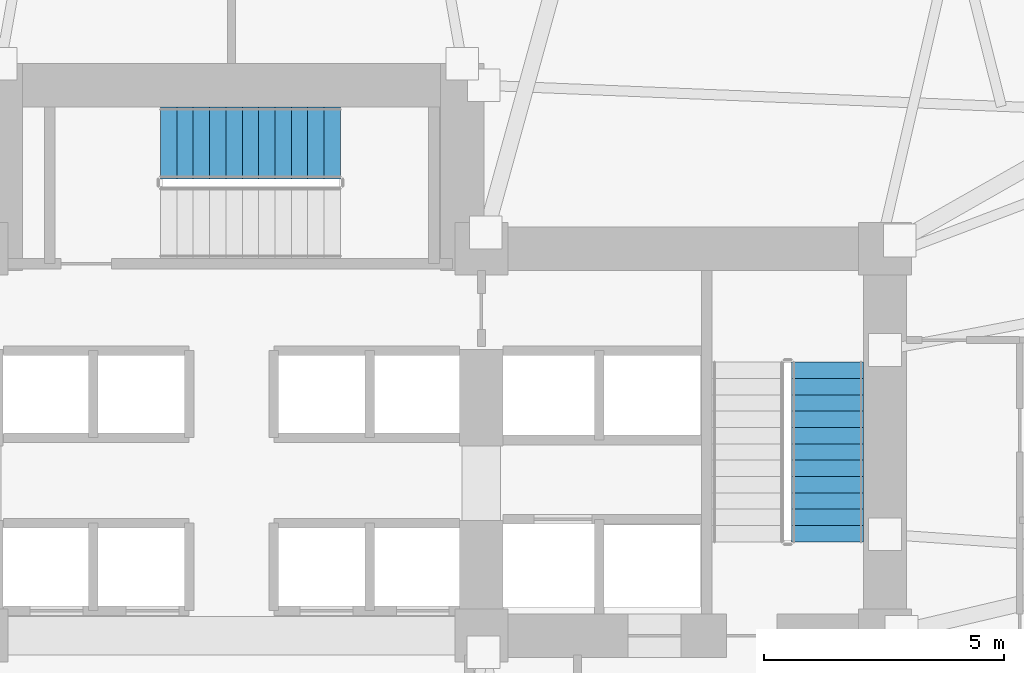
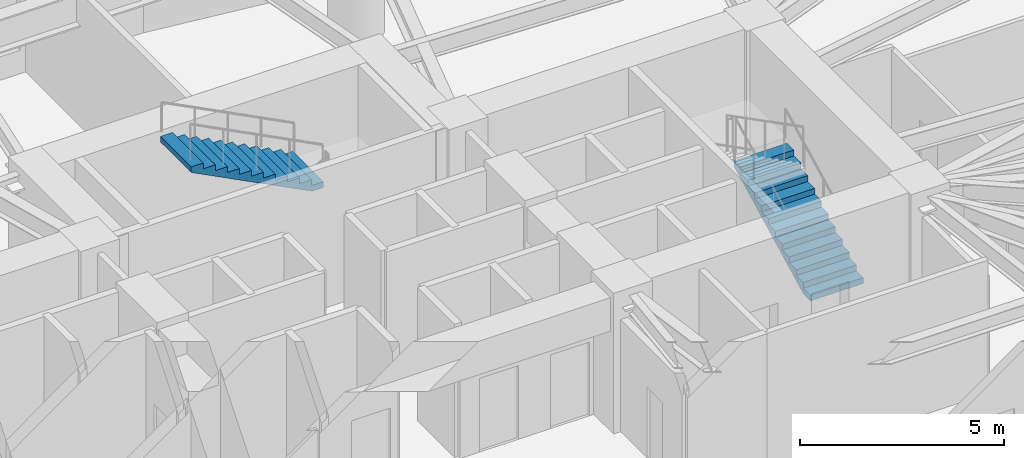
# One storey, part 13 of 19: 2 stair flights, 2 elements without a shape of their own.
"""IFC4 building model written with IfcOpenShell, lengths in metres."""

from ifc_helpers import new_model, si_unit, direction, frame, origin, place, context, subcontext, project, spatial, polyline, outline, extrude, material, type_object, element, aggregate, save


model = new_model("IFC4")

# Units and contexts
model_context = context("Model", 3, precision=1e-05, world=origin(), true_north=direction((0.0, 1.0)))
body_context = subcontext(model_context, "Body", "Model", "MODEL_VIEW")
ifc_project = project(units=[si_unit("LENGTHUNIT", "METRE"), si_unit("AREAUNIT", "SQUARE_METRE"), si_unit("VOLUMEUNIT", "CUBIC_METRE"), si_unit("PLANEANGLEUNIT", "RADIAN"), si_unit("MASSUNIT", "GRAM", prefix="KILO")], contexts=[model_context])

# Site, building, storey
site_placement = place(None, origin())
site = spatial("IfcSite", under=ifc_project, at=site_placement, CompositionType="ELEMENT")
building_placement = place(site_placement, origin())
building = spatial("IfcBuilding", under=site, at=building_placement, Name="Keldmark Tower", CompositionType="ELEMENT")
storey_placement = place(building_placement, frame((0.0, 0.0, 10.199951171875)))
storey = spatial("IfcBuildingStorey", under=building, at=storey_placement, Name="L02", CompositionType="ELEMENT", Elevation=10.199951171875)

# Stair, stair flight
ifc_material_1 = material(Name="Concrete C40/50", Category="concrete")
stair_type = type_object("IfcStairType", Name="Precast Concrete Core Exit Stair", PredefinedType="HALF_TURN_STAIR", material=ifc_material_1)
stair_1_placement = place(storey_placement, origin())
stair_1 = element("IfcStair", 1, at=stair_1_placement, inside=storey, type_object=stair_type, Name="L02 Exit Stair ST2", PredefinedType="HALF_TURN_STAIR")
ifc_material_2 = material(Name="Concrete C40/50", Category="concrete")
stair_flight_type = type_object("IfcStairFlightType", Name="Precast Concrete Stair Flight 1500 mm", PredefinedType="STRAIGHT", material=ifc_material_2)
stair_flight_1_placement = place(storey_placement, frame((12.39990234375, 3.35009765625, 0.0), z_axis=(0.0, 0.0, 1.0), x_axis=(0.0, 1.0, 0.0)))
stair_flight_1 = element("IfcStairFlight", 2, at=stair_flight_1_placement, type_object=stair_flight_type, Name="ST2 flight 1", NumberOfRisers=12, NumberOfTreads=11, PredefinedType="STRAIGHT", RiserHeight=0.175, TreadLength=0.34, context=body_context, shape_type="SweptSolid", body=[
    extrude(outline(polyline([(0.0, 0.0), (0.0, 0.175048828125), (0.340087890625, 0.175048828125), (0.340087890625, 0.35009765625), (0.679931640625, 0.35009765625), (0.679931640625, 0.52490234375), (1.02001953125, 0.52490234375), (1.02001953125, 0.699951171875), (1.360107421875, 0.699951171875), (1.360107421875, 0.875), (1.699951171875, 0.875), (1.699951171875, 1.050048828125), (2.0400390625, 1.050048828125), (2.0400390625, 1.22509765625), (2.3798828125, 1.22509765625), (2.3798828125, 1.39990234375), (2.719970703125, 1.39990234375), (2.719970703125, 1.574951171875), (3.06005859375, 1.574951171875), (3.06005859375, 1.75), (3.39990234375, 1.75), (3.39990234375, 1.925048828125), (3.739990234375, 1.925048828125), (3.739990234375, 2.10009765625), (3.739990234375, 1.75634765625), (0.32763671875, 0.0), (0.0, 0.0)])), frame((0.0, 0.75, 0.0), z_axis=(0.0, -1.0, 0.0), x_axis=(1.0, 0.0, 0.0)), (0.0, 0.0, 1.0), 1.5),
])
aggregate(stair_1, [stair_flight_1])

stair_2_placement = place(storey_placement, origin())
stair_2 = element("IfcStair", 3, at=stair_2_placement, inside=storey, type_object=stair_type, Name="L02 Exit Stair ST3", PredefinedType="HALF_TURN_STAIR")
stair_flight_2_placement = place(storey_placement, frame((2.264892578125, 11.64990234375, 2.10009765625), z_axis=(0.0, 0.0, 1.0), x_axis=(-1.0, 0.0, 0.0)))
stair_flight_2 = element("IfcStairFlight", 4, at=stair_flight_2_placement, type_object=stair_flight_type, Name="ST3 flight 2", NumberOfRisers=12, NumberOfTreads=11, PredefinedType="STRAIGHT", RiserHeight=0.175, TreadLength=0.34, context=body_context, shape_type="SweptSolid", body=[
    extrude(outline(polyline([(0.0, 0.0), (0.0, 0.175048828125), (0.340087890625, 0.175048828125), (0.340087890625, 0.35009765625), (0.679931640625, 0.35009765625), (0.679931640625, 0.52490234375), (1.02001953125, 0.52490234375), (1.02001953125, 0.699951171875), (1.360107421875, 0.699951171875), (1.360107421875, 0.875), (1.699951171875, 0.875), (1.699951171875, 1.050048828125), (2.0400390625, 1.050048828125), (2.0400390625, 1.22509765625), (2.3798828125, 1.22509765625), (2.3798828125, 1.39990234375), (2.719970703125, 1.39990234375), (2.719970703125, 1.574951171875), (3.06005859375, 1.574951171875), (3.06005859375, 1.75), (3.39990234375, 1.75), (3.39990234375, 1.925048828125), (3.739990234375, 1.925048828125), (3.739990234375, 2.10009765625), (3.739990234375, 1.75634765625), (0.32763671875, 0.0), (0.0, 0.0)])), frame((0.0, 0.75, 0.0), z_axis=(0.0, -1.0, 0.0), x_axis=(1.0, 0.0, 0.0)), (0.0, 0.0, 1.0), 1.5),
])
aggregate(stair_2, [stair_flight_2])

save(model, "model.ifc")
